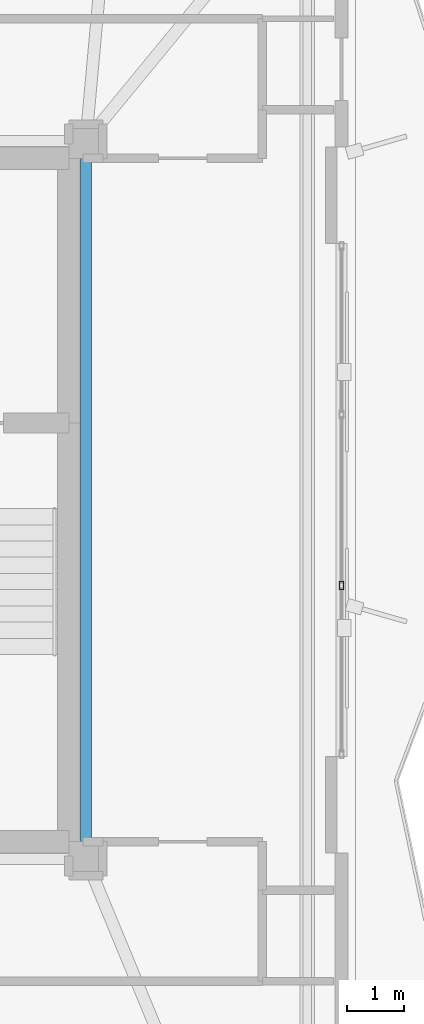
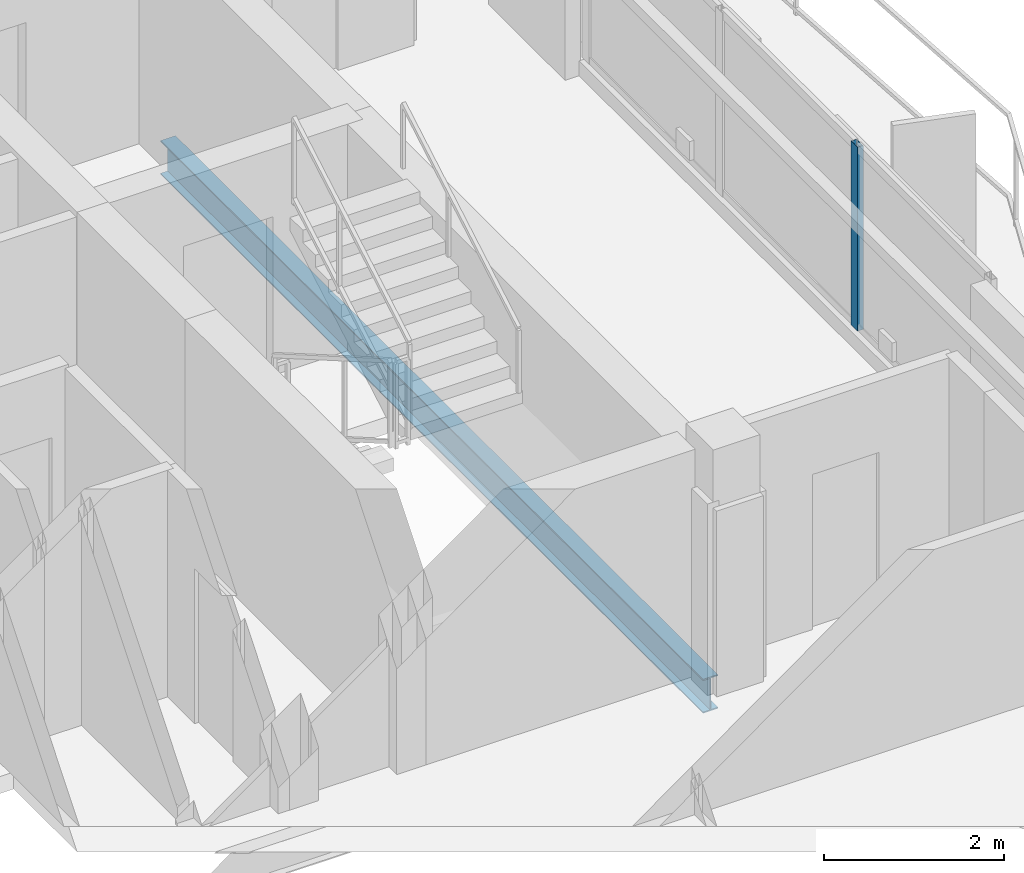
# One storey, part 11 of 22: 1 beam, 1 member, 1 element without a shape of its own.
"""IFC4 building model written with IfcOpenShell, lengths in metres."""

import ifcopenshell
import ifcopenshell.guid

model = None  # the IFC model being written
_history = None  # IfcOwnerHistory: only IFC2X3 demands one
_inside = {}  # id of a spatial element -> (the spatial element, [elements in it])
_under = {}  # id of a project, library or spatial element -> (it, [spatial elements below it])
_declared = {}  # id of a project -> (the project, [libraries it declares])
_typed = {}  # id of a type object -> (the type object, [elements of that type])
_made_of = {}  # id of a material, layer set ... -> (it, [elements and type objects made of it])


def new_model(schema):
    """Start an empty IFC model of exactly this schema.

    Asked for "IFC4X3", IfcOpenShell would pick the latest addendum, in which some entities
    have other attributes; the version numbers below select the first issue.
    IFC2X3 requires an IfcOwnerHistory on every rooted entity: one is made here for all.
    """
    global model, _history
    if schema == "IFC4X3":
        model = ifcopenshell.file(schema_version=(4, 3, 0, 0))
    else:
        model = ifcopenshell.file(schema=schema)
    _inside.clear()
    _under.clear()
    _declared.clear()
    _typed.clear()
    _made_of.clear()
    _history = None
    if model.schema == "IFC2X3":
        org = make("IfcOrganization", Name="unknown")
        user = make(
            "IfcPersonAndOrganization",
            ThePerson=make("IfcPerson", FamilyName="unknown"),
            TheOrganization=org,
        )
        app = make(
            "IfcApplication",
            ApplicationDeveloper=org,
            Version="unknown",
            ApplicationFullName="unknown",
            ApplicationIdentifier="unknown",
        )
        _history = make(
            "IfcOwnerHistory",
            OwningUser=user,
            OwningApplication=app,
            ChangeAction="ADDED",
            CreationDate=0,
        )
    return model


def make(cls, **values):
    """One entity of the class cls with the attributes given. An attribute that is None is left unset."""
    return model.create_entity(
        cls, **{name: value for name, value in values.items() if value is not None}
    )


def rooted(cls, **values):
    """An entity with a GlobalId (a new one), such as an element, a storey or a relation."""
    return make(cls, GlobalId=ifcopenshell.guid.new(), OwnerHistory=_history, **values)


def si_unit(unit_type, name, prefix=None):
    """IfcSIUnit, for example si_unit("LENGTHUNIT", "METRE", prefix="MILLI")."""
    return make("IfcSIUnit", UnitType=unit_type, Prefix=prefix, Name=name)


def assignment(units):
    """IfcUnitAssignment: the units of a project."""
    return None if units is None else make("IfcUnitAssignment", Units=units)


def point(xyz):
    """IfcCartesianPoint."""
    return None if xyz is None else make("IfcCartesianPoint", Coordinates=xyz)


def direction(xyz):
    """IfcDirection."""
    return None if xyz is None else make("IfcDirection", DirectionRatios=xyz)


def frame(location, z_axis=None, x_axis=None):
    """IfcAxis2Placement3D, a coordinate frame: its origin and axes. An axis left out is left unset."""
    return make(
        "IfcAxis2Placement3D",
        Location=point(location),
        Axis=direction(z_axis),
        RefDirection=direction(x_axis),
    )


def frame_2d(location, x_axis=None):
    """IfcAxis2Placement2D, a coordinate frame in the plane: its origin and x axis."""
    return make(
        "IfcAxis2Placement2D", Location=point(location), RefDirection=direction(x_axis)
    )


def origin():
    """The frame at (0, 0, 0) with its axes left unset."""
    return frame((0.0, 0.0, 0.0))


def origin_2d():
    """The frame at (0, 0) in the plane with its x axis left unset."""
    return frame_2d((0.0, 0.0))


def place(relative_to, where):
    """IfcLocalPlacement: puts the frame where relative to a parent placement (None: the world)."""
    return make(
        "IfcLocalPlacement", PlacementRelTo=relative_to, RelativePlacement=where
    )


def context(
    kind, dimensions, precision=None, world=None, true_north=None, identifier=None
):
    """IfcGeometricRepresentationContext, for example the 3D "Model" context."""
    return make(
        "IfcGeometricRepresentationContext",
        ContextIdentifier=identifier,
        ContextType=kind,
        CoordinateSpaceDimension=dimensions,
        Precision=precision,
        WorldCoordinateSystem=world,
        TrueNorth=true_north,
    )


def subcontext(parent, identifier, kind, view, scale=None):
    """IfcGeometricRepresentationSubContext, for example "Body" below "Model"."""
    return make(
        "IfcGeometricRepresentationSubContext",
        ContextIdentifier=identifier,
        ContextType=kind,
        ParentContext=parent,
        TargetScale=scale,
        TargetView=view,
    )


def project(units=None, contexts=None):
    """IfcProject with its units and contexts."""
    return rooted(
        "IfcProject",
        Name="project",
        RepresentationContexts=contexts,
        UnitsInContext=assignment(units),
    )


def spatial(cls, under=None, at=None, **own):
    """A site, building, storey or space (cls), placed at a placement, below another one or the project."""
    s = rooted(cls, ObjectPlacement=at, **own)
    if under is not None:
        _under.setdefault(under.id(), (under, []))[1].append(s)
    return s


def profile(cls, at=None, kind="AREA", **sizes):
    """A parametric profile (cls). Its sizes go by their IFC names, for example OverallWidth=200.0."""
    return make(cls, ProfileType=kind, Position=at, **sizes)


def hollow_rectangle(**sizes):
    """IfcRectangleHollowProfileDef."""
    return profile("IfcRectangleHollowProfileDef", **sizes)


def i_section(**sizes):
    """IfcIShapeProfileDef."""
    return profile("IfcIShapeProfileDef", **sizes)


def extrude(swept, where, along, depth):
    """IfcExtrudedAreaSolid: the profile swept, set in the frame where, extruded along a direction by depth."""
    return make(
        "IfcExtrudedAreaSolid",
        SweptArea=swept,
        Position=where,
        ExtrudedDirection=direction(along),
        Depth=depth,
    )


def shape(context_of_items, identifier, shape_type, items):
    """IfcShapeRepresentation: the items that make up one representation, for example the "Body"."""
    return make(
        "IfcShapeRepresentation",
        ContextOfItems=context_of_items,
        RepresentationIdentifier=identifier,
        RepresentationType=shape_type,
        Items=items,
    )


def material(Name=None, Category=None):
    """IfcMaterial."""
    return make("IfcMaterial", Name=Name, Category=Category)


def layer(
    of_material, thickness, ventilated=None, Name=None, Category=None, Priority=None
):
    """IfcMaterialLayer: one layer of a wall or slab, of a material (None: an air gap)."""
    return make(
        "IfcMaterialLayer",
        Material=of_material,
        LayerThickness=thickness,
        IsVentilated=ventilated,
        Name=Name,
        Category=Category,
        Priority=Priority,
    )


def layer_set(layers, Name=None):
    """IfcMaterialLayerSet."""
    return make("IfcMaterialLayerSet", MaterialLayers=layers, LayerSetName=Name)


def material_profile(
    of_material, cross_section, Name=None, Category=None, Priority=None
):
    """IfcMaterialProfile: a cross section and its material."""
    return make(
        "IfcMaterialProfile",
        Name=Name,
        Material=of_material,
        Profile=cross_section,
        Priority=Priority,
        Category=Category,
    )


def profile_set(profiles, Name=None, composite=None):
    """IfcMaterialProfileSet."""
    return make(
        "IfcMaterialProfileSet",
        Name=Name,
        MaterialProfiles=profiles,
        CompositeProfile=composite,
    )


def made_of(thing, what):
    """Note that an element or type object is made of a material, layer set ...; save() writes the relation."""
    if what is not None:
        _made_of.setdefault(what.id(), (what, []))[1].append(thing)
    return thing


def type_object(cls, material=None, **own):
    """A type object (cls), such as IfcWallType, which elements share."""
    return made_of(rooted(cls, **own), material)


def element(
    cls,
    number,
    at=None,
    inside=None,
    cuts=None,
    type_object=None,
    material=None,
    context=None,
    identifier="Body",
    shape_type=None,
    held_by="IfcProductDefinitionShape",
    body=None,
    shapes=None,
    **own,
):
    """One element of the class cls, such as IfcWall. Its Tag is "e" and its number.

    at: its placement. inside: the storey or other place that contains it. cuts: it is an
    opening in that element (IfcRelVoidsElement). A single representation is given by context,
    identifier, shape_type and body (its items); several are given by shapes. held_by: the class
    of the entity that holds the representations. save() writes the other relations.
    """
    e = rooted(cls, Tag="e%d" % number, ObjectPlacement=at, **own)
    if body is not None:
        shapes = [shape(context, identifier, shape_type, body)]
    if shapes is not None:
        e.Representation = make(held_by, Representations=shapes)
    if inside is not None:
        _inside.setdefault(inside.id(), (inside, []))[1].append(e)
    if cuts is not None:
        rooted(
            "IfcRelVoidsElement", RelatingBuildingElement=cuts, RelatedOpeningElement=e
        )
    if type_object is not None:
        _typed.setdefault(type_object.id(), (type_object, []))[1].append(e)
    return made_of(e, material)


def aggregate(whole, parts):
    """IfcRelAggregates: a whole, such as a stair, and the parts it consists of."""
    return rooted("IfcRelAggregates", RelatingObject=whole, RelatedObjects=parts)


def save(model, path):
    """Write the relations noted so far, then the file.

    IfcRelAggregates (storeys below a building ...), IfcRelContainedInSpatialStructure (elements
    in a storey), IfcRelDefinesByType, IfcRelAssociatesMaterial and IfcRelDeclares: one each for
    every whole, place, type object, material and project.
    """
    for whole, parts in _under.values():
        aggregate(whole, parts)
    for where, things in _inside.values():
        rooted(
            "IfcRelContainedInSpatialStructure",
            RelatedElements=things,
            RelatingStructure=where,
        )
    for kind, things in _typed.values():
        rooted("IfcRelDefinesByType", RelatedObjects=things, RelatingType=kind)
    for what, things in _made_of.values():
        rooted("IfcRelAssociatesMaterial", RelatedObjects=things, RelatingMaterial=what)
    for by, libraries in _declared.values():
        rooted("IfcRelDeclares", RelatingContext=by, RelatedDefinitions=libraries)
    model.write(path)


model = new_model("IFC4")

# Units and contexts
model_context = context("Model", 3, precision=1e-05, world=origin(), true_north=direction((0.0, 1.0)))
body_context = subcontext(model_context, "Body", "Model", "MODEL_VIEW")
ifc_project = project(units=[si_unit("LENGTHUNIT", "METRE"), si_unit("AREAUNIT", "SQUARE_METRE"), si_unit("VOLUMEUNIT", "CUBIC_METRE"), si_unit("PLANEANGLEUNIT", "RADIAN"), si_unit("MASSUNIT", "GRAM", prefix="KILO")], contexts=[model_context])

# Site, building, storey
site_placement = place(None, origin())
site = spatial("IfcSite", under=ifc_project, at=site_placement, CompositionType="ELEMENT")
building_placement = place(site_placement, origin())
building = spatial("IfcBuilding", under=site, at=building_placement, Name="Mersakhor Tower and Convention Hall", CompositionType="ELEMENT")
storey_placement = place(building_placement, frame((0.0, 0.0, 205.199951171875)))
storey = spatial("IfcBuildingStorey", under=building, at=storey_placement, Name="L57", CompositionType="ELEMENT", Elevation=205.199951171875)

# Beam
ifc_material_1 = material(Name="Steel S355", Category="steel")
ifc_material_profile_1 = material_profile(ifc_material_1, i_section(OverallWidth=0.19140625, OverallDepth=0.4599609375, WebThickness=0.010009765625, FlangeThickness=0.01611328125, at=origin_2d()), Name="UB 457x191x82")
ifc_profile_set_1 = profile_set([ifc_material_profile_1], Name="Steel S355")
beam_type = type_object("IfcBeamType", Name="BM-FB-457", PredefinedType="BEAM", material=ifc_profile_set_1)
beam_placement = place(storey_placement, frame((36.10009765625, 32.77001953125, -0.4599609375), z_axis=(0.0, -1.0, 0.0), x_axis=(1.0, 0.0, 0.0)))
element("IfcBeam", 1, at=beam_placement, inside=storey, type_object=beam_type, Name="L57 Core Ring Tie Beam CRB-3", PredefinedType="BEAM", context=body_context, shape_type="SweptSolid", body=[
    extrude(i_section(OverallWidth=0.19140625, OverallDepth=0.4599609375, WebThickness=0.010009765625, FlangeThickness=0.01611328125, at=origin_2d()), origin(), (0.0, 0.0, 1.0), 12.0400390625),
])

# Curtain wall, member
ifc_material_2 = material(Name="Dark solar low-E aluminium curtain wall", Category="aluminium")
ifc_layer = layer(ifc_material_2, 0.169921875)
ifc_layer_set = layer_set([ifc_layer], Name="Dark solar low-E aluminium curtain wall")
curtain_wall_type = type_object("IfcCurtainWallType", Name="CW-SYS-02", PredefinedType="USERDEFINED", material=ifc_layer_set)
curtain_wall_placement = place(storey_placement, origin())
curtain_wall = element("IfcCurtainWall", 2, at=curtain_wall_placement, inside=storey, type_object=curtain_wall_type, Name="L57 Dark-Glass Curtain Wall F2-B2", ObjectType="CURTAIN WALL", PredefinedType="USERDEFINED")
ifc_material_3 = material(Name="Anodised aluminium EN AW-6063 T6", Category="aluminium")
ifc_material_profile_2 = material_profile(ifc_material_3, hollow_rectangle(XDim=0.074951171875, YDim=0.14990234375, WallThickness=0.00634765625, at=origin_2d()), Name="RHS 150x75x6.3")
ifc_profile_set_2 = profile_set([ifc_material_profile_2], Name="Anodised aluminium EN AW-6063 T6")
member_type = type_object("IfcMemberType", Name="CWM-150x75", PredefinedType="MULLION", material=ifc_profile_set_2)
member_placement = place(storey_placement, frame((40.58837890625, 25.250244140625, 0.199951171875), z_axis=(0.0, 0.0, 1.0), x_axis=(1.0, 0.0, 0.0)))
member = element("IfcMember", 3, at=member_placement, type_object=member_type, Name="CW-02 mullion 3", PredefinedType="MULLION", context=body_context, shape_type="SweptSolid", body=[
    extrude(hollow_rectangle(XDim=0.074951171875, YDim=0.14990234375, WallThickness=0.00634765625, at=origin_2d()), origin(), (0.0, 0.0, 1.0), 2.489990234375),
])
aggregate(curtain_wall, [member])

save(model, "model.ifc")
